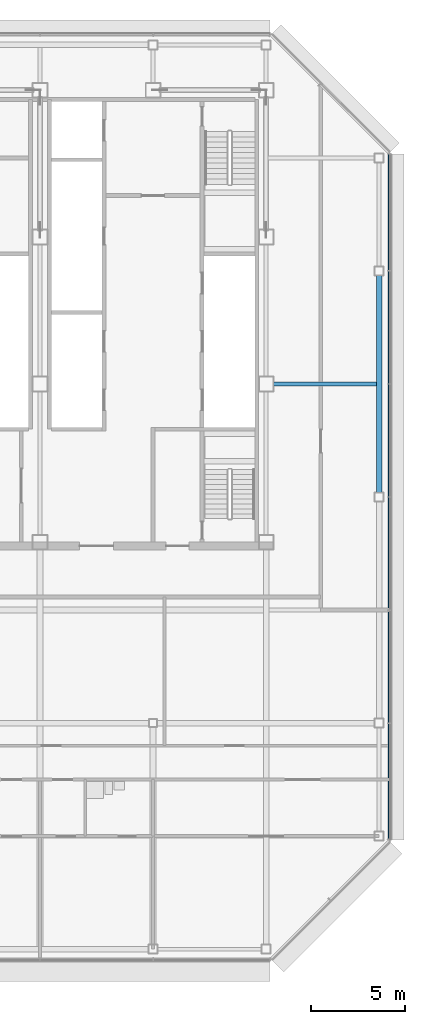
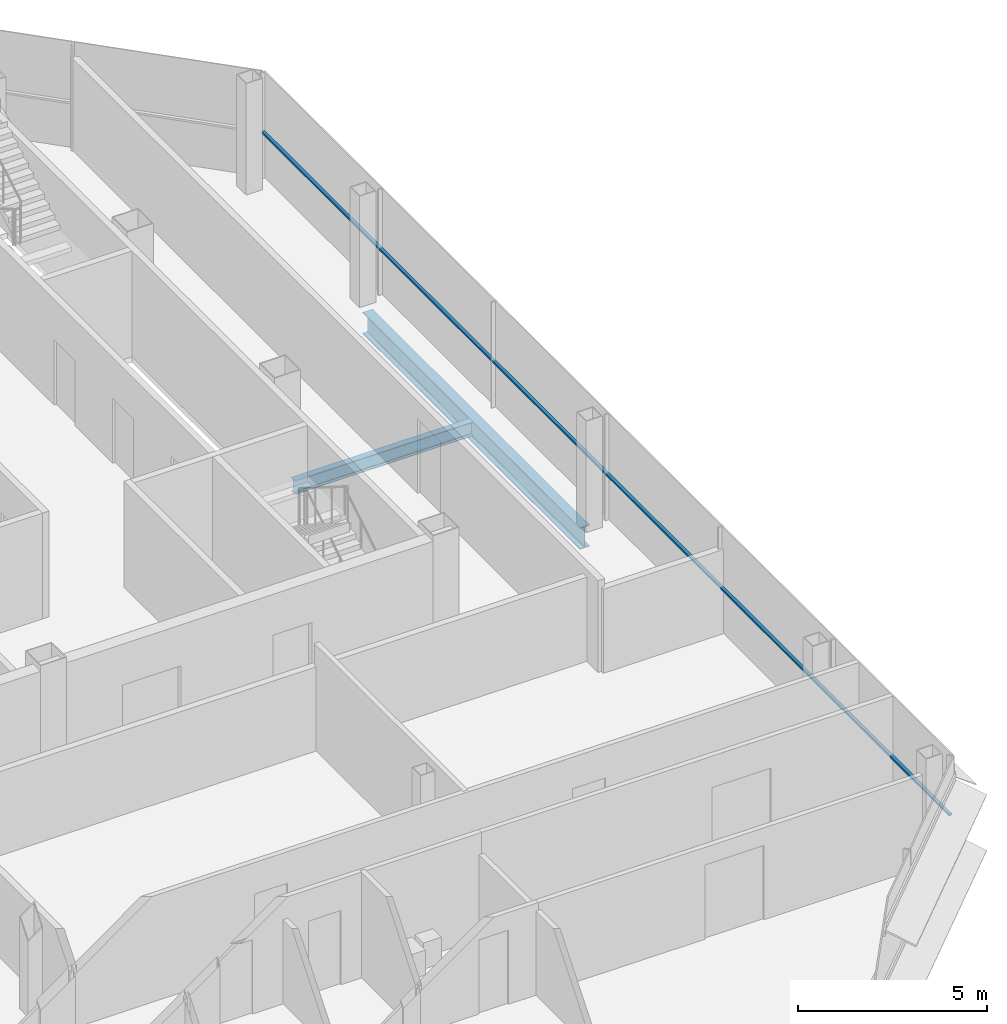
# One storey, part 18 of 28: 2 beams, 1 member, 1 element without a shape of its own.
"""IFC4 building model written with IfcOpenShell, lengths in metres."""

from ifc_helpers import new_model, si_unit, direction, frame, origin, origin_2d, place, context, subcontext, project, spatial, rectangle, i_section, extrude, material, material_profile, profile_set, type_object, element, aggregate, save


model = new_model("IFC4")

# Units and contexts
model_context = context("Model", 3, precision=1e-05, world=origin(), true_north=direction((0.0, 1.0)))
body_context = subcontext(model_context, "Body", "Model", "MODEL_VIEW")
ifc_project = project(units=[si_unit("LENGTHUNIT", "METRE"), si_unit("AREAUNIT", "SQUARE_METRE"), si_unit("VOLUMEUNIT", "CUBIC_METRE"), si_unit("PLANEANGLEUNIT", "RADIAN"), si_unit("MASSUNIT", "GRAM", prefix="KILO")], contexts=[model_context])

# Site, building, storey
site_placement = place(None, origin())
site = spatial("IfcSite", under=ifc_project, at=site_placement, CompositionType="ELEMENT")
building_placement = place(site_placement, origin())
building = spatial("IfcBuilding", under=site, at=building_placement, Name="Sorahane Residences", CompositionType="ELEMENT")
storey_placement = place(building_placement, frame((0.0, 0.0, 308.800048828125)))
storey = spatial("IfcBuildingStorey", under=building, at=storey_placement, Name="L73", CompositionType="ELEMENT", Elevation=308.800048828125)

# Curtain wall, member
ifc_material_1 = material(Name="Dark low-e glass and black anodised aluminium", Category="aluminium")
curtain_wall_type = type_object("IfcCurtainWallType", Name="Curtain wall CW-1 Typical unitised wall", PredefinedType="NOTDEFINED", material=ifc_material_1)
curtain_wall_placement = place(storey_placement, origin())
curtain_wall = element("IfcCurtainWall", 1, at=curtain_wall_placement, inside=storey, type_object=curtain_wall_type, Name="CW-1 curtain wall L73 E1", PredefinedType="NOTDEFINED")
ifc_material_2 = material(Name="Black anodised aluminium", Category="aluminium")
ifc_material_profile_1 = material_profile(ifc_material_2, rectangle(XDim=0.10009765625, YDim=0.06005859375, at=origin_2d()), Name="Curtain wall transom CW-1 black anodised aluminium 60x100")
ifc_profile_set_1 = profile_set([ifc_material_profile_1], Name="Black anodised aluminium")
member_type = type_object("IfcMemberType", Name="Curtain wall transom CW-1 black anodised aluminium 60x100", PredefinedType="USERDEFINED", material=ifc_profile_set_1)
member_placement = place(storey_placement, frame((48.530029296875, 5.801513671875, 1.5), z_axis=(0.0, 1.0, 0.0), x_axis=(-1.0, 0.0, 0.0)))
member = element("IfcMember", 2, at=member_placement, type_object=member_type, Name="CW-1 transom L73 E1", ObjectType="TRANSOM", PredefinedType="USERDEFINED", context=body_context, shape_type="SweptSolid", body=[
    extrude(rectangle(XDim=0.10009765625, YDim=0.06005859375, at=origin_2d()), origin(), (0.0, 0.0, 1.0), 36.39697265625),
])
aggregate(curtain_wall, [member])

# Beams
ifc_material_3 = material(Name="Steel Q355B", Category="steel")
ifc_material_profile_2 = material_profile(ifc_material_3, i_section(OverallWidth=0.199951171875, OverallDepth=0.449951171875, WebThickness=0.009033203125, FlangeThickness=0.013916015625, FilletRadius=0.02001953125, at=origin_2d()), Name="HN 450x200x9x14")
ifc_profile_set_2 = profile_set([ifc_material_profile_2], Name="Steel Q355B")
beam_type_1 = type_object("IfcBeamType", Name="Steel floor beam HN 450x200x9x14 Q355B", PredefinedType="BEAM", material=ifc_profile_set_2)
beam_1_placement = place(storey_placement, frame((42.39990234375, 30.0, -0.405029296875), z_axis=(1.0, 0.0, 0.0), x_axis=(0.0, 1.0, 0.0)))
element("IfcBeam", 3, at=beam_1_placement, inside=storey, type_object=beam_type_1, Name="Beam L73 086", PredefinedType="BEAM", context=body_context, shape_type="SweptSolid", body=[
    extrude(i_section(OverallWidth=0.199951171875, OverallDepth=0.449951171875, WebThickness=0.009033203125, FlangeThickness=0.013916015625, FilletRadius=0.02001953125, at=origin_2d()), origin(), (0.0, 0.0, 1.0), 5.4501953125),
])
ifc_material_4 = material(Name="Steel Q355B", Category="steel")
ifc_material_profile_3 = material_profile(ifc_material_4, i_section(OverallWidth=0.300048828125, OverallDepth=0.699951171875, WebThickness=0.012939453125, FlangeThickness=0.02392578125, FilletRadius=0.028076171875, at=origin_2d()), Name="HN 700x300x13x24")
ifc_profile_set_3 = profile_set([ifc_material_profile_3], Name="Steel Q355B")
beam_type_2 = type_object("IfcBeamType", Name="Steel floor beam HN 700x300x13x24 Q355B", PredefinedType="BEAM", material=ifc_profile_set_3)
beam_2_placement = place(storey_placement, frame((48.0, 24.25, -0.530029296875), z_axis=(0.0, 1.0, 0.0), x_axis=(-1.0, 0.0, 0.0)))
element("IfcBeam", 4, at=beam_2_placement, inside=storey, type_object=beam_type_2, Name="Beam L73 064", PredefinedType="BEAM", context=body_context, shape_type="SweptSolid", body=[
    extrude(i_section(OverallWidth=0.300048828125, OverallDepth=0.699951171875, WebThickness=0.012939453125, FlangeThickness=0.02392578125, FilletRadius=0.028076171875, at=origin_2d()), origin(), (0.0, 0.0, 1.0), 11.5),
])

save(model, "model.ifc")
